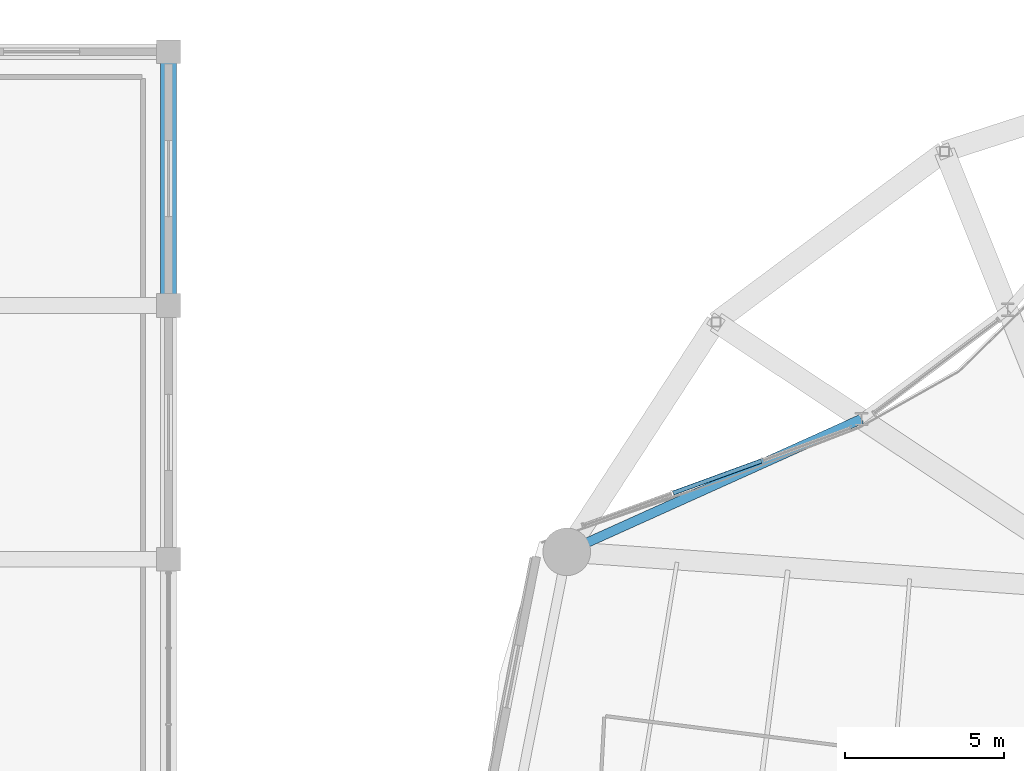
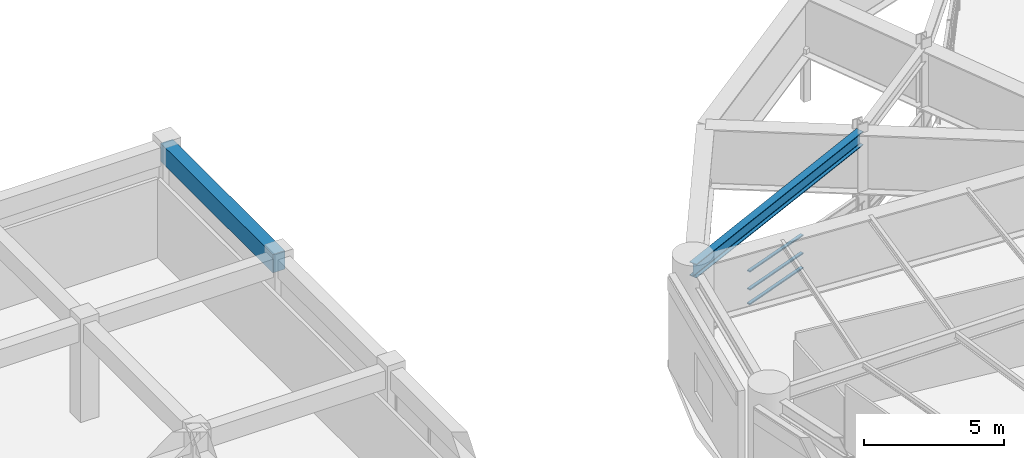
# One storey, part 30 of 53: 3 members, 2 beams, 1 element without a shape of its own.
"""IFC4 building model written with IfcOpenShell, lengths in metres."""

import ifcopenshell
import ifcopenshell.guid

model = None  # the IFC model being written
_history = None  # IfcOwnerHistory: only IFC2X3 demands one
_inside = {}  # id of a spatial element -> (the spatial element, [elements in it])
_under = {}  # id of a project, library or spatial element -> (it, [spatial elements below it])
_declared = {}  # id of a project -> (the project, [libraries it declares])
_typed = {}  # id of a type object -> (the type object, [elements of that type])
_made_of = {}  # id of a material, layer set ... -> (it, [elements and type objects made of it])


def new_model(schema):
    """Start an empty IFC model of exactly this schema.

    Asked for "IFC4X3", IfcOpenShell would pick the latest addendum, in which some entities
    have other attributes; the version numbers below select the first issue.
    IFC2X3 requires an IfcOwnerHistory on every rooted entity: one is made here for all.
    """
    global model, _history
    if schema == "IFC4X3":
        model = ifcopenshell.file(schema_version=(4, 3, 0, 0))
    else:
        model = ifcopenshell.file(schema=schema)
    _inside.clear()
    _under.clear()
    _declared.clear()
    _typed.clear()
    _made_of.clear()
    _history = None
    if model.schema == "IFC2X3":
        org = make("IfcOrganization", Name="unknown")
        user = make(
            "IfcPersonAndOrganization",
            ThePerson=make("IfcPerson", FamilyName="unknown"),
            TheOrganization=org,
        )
        app = make(
            "IfcApplication",
            ApplicationDeveloper=org,
            Version="unknown",
            ApplicationFullName="unknown",
            ApplicationIdentifier="unknown",
        )
        _history = make(
            "IfcOwnerHistory",
            OwningUser=user,
            OwningApplication=app,
            ChangeAction="ADDED",
            CreationDate=0,
        )
    return model


def make(cls, **values):
    """One entity of the class cls with the attributes given. An attribute that is None is left unset."""
    return model.create_entity(
        cls, **{name: value for name, value in values.items() if value is not None}
    )


def rooted(cls, **values):
    """An entity with a GlobalId (a new one), such as an element, a storey or a relation."""
    return make(cls, GlobalId=ifcopenshell.guid.new(), OwnerHistory=_history, **values)


def si_unit(unit_type, name, prefix=None):
    """IfcSIUnit, for example si_unit("LENGTHUNIT", "METRE", prefix="MILLI")."""
    return make("IfcSIUnit", UnitType=unit_type, Prefix=prefix, Name=name)


def assignment(units):
    """IfcUnitAssignment: the units of a project."""
    return None if units is None else make("IfcUnitAssignment", Units=units)


def point(xyz):
    """IfcCartesianPoint."""
    return None if xyz is None else make("IfcCartesianPoint", Coordinates=xyz)


def direction(xyz):
    """IfcDirection."""
    return None if xyz is None else make("IfcDirection", DirectionRatios=xyz)


def frame(location, z_axis=None, x_axis=None):
    """IfcAxis2Placement3D, a coordinate frame: its origin and axes. An axis left out is left unset."""
    return make(
        "IfcAxis2Placement3D",
        Location=point(location),
        Axis=direction(z_axis),
        RefDirection=direction(x_axis),
    )


def frame_2d(location, x_axis=None):
    """IfcAxis2Placement2D, a coordinate frame in the plane: its origin and x axis."""
    return make(
        "IfcAxis2Placement2D", Location=point(location), RefDirection=direction(x_axis)
    )


def origin():
    """The frame at (0, 0, 0) with its axes left unset."""
    return frame((0.0, 0.0, 0.0))


def origin_2d():
    """The frame at (0, 0) in the plane with its x axis left unset."""
    return frame_2d((0.0, 0.0))


def place(relative_to, where):
    """IfcLocalPlacement: puts the frame where relative to a parent placement (None: the world)."""
    return make(
        "IfcLocalPlacement", PlacementRelTo=relative_to, RelativePlacement=where
    )


def context(
    kind, dimensions, precision=None, world=None, true_north=None, identifier=None
):
    """IfcGeometricRepresentationContext, for example the 3D "Model" context."""
    return make(
        "IfcGeometricRepresentationContext",
        ContextIdentifier=identifier,
        ContextType=kind,
        CoordinateSpaceDimension=dimensions,
        Precision=precision,
        WorldCoordinateSystem=world,
        TrueNorth=true_north,
    )


def subcontext(parent, identifier, kind, view, scale=None):
    """IfcGeometricRepresentationSubContext, for example "Body" below "Model"."""
    return make(
        "IfcGeometricRepresentationSubContext",
        ContextIdentifier=identifier,
        ContextType=kind,
        ParentContext=parent,
        TargetScale=scale,
        TargetView=view,
    )


def project(units=None, contexts=None):
    """IfcProject with its units and contexts."""
    return rooted(
        "IfcProject",
        Name="project",
        RepresentationContexts=contexts,
        UnitsInContext=assignment(units),
    )


def spatial(cls, under=None, at=None, **own):
    """A site, building, storey or space (cls), placed at a placement, below another one or the project."""
    s = rooted(cls, ObjectPlacement=at, **own)
    if under is not None:
        _under.setdefault(under.id(), (under, []))[1].append(s)
    return s


def profile(cls, at=None, kind="AREA", **sizes):
    """A parametric profile (cls). Its sizes go by their IFC names, for example OverallWidth=200.0."""
    return make(cls, ProfileType=kind, Position=at, **sizes)


def rectangle(**sizes):
    """IfcRectangleProfileDef."""
    return profile("IfcRectangleProfileDef", **sizes)


def hollow_rectangle(**sizes):
    """IfcRectangleHollowProfileDef."""
    return profile("IfcRectangleHollowProfileDef", **sizes)


def i_section(**sizes):
    """IfcIShapeProfileDef."""
    return profile("IfcIShapeProfileDef", **sizes)


def extrude(swept, where, along, depth):
    """IfcExtrudedAreaSolid: the profile swept, set in the frame where, extruded along a direction by depth."""
    return make(
        "IfcExtrudedAreaSolid",
        SweptArea=swept,
        Position=where,
        ExtrudedDirection=direction(along),
        Depth=depth,
    )


def shape(context_of_items, identifier, shape_type, items):
    """IfcShapeRepresentation: the items that make up one representation, for example the "Body"."""
    return make(
        "IfcShapeRepresentation",
        ContextOfItems=context_of_items,
        RepresentationIdentifier=identifier,
        RepresentationType=shape_type,
        Items=items,
    )


def material(Name=None, Category=None):
    """IfcMaterial."""
    return make("IfcMaterial", Name=Name, Category=Category)


def layer(
    of_material, thickness, ventilated=None, Name=None, Category=None, Priority=None
):
    """IfcMaterialLayer: one layer of a wall or slab, of a material (None: an air gap)."""
    return make(
        "IfcMaterialLayer",
        Material=of_material,
        LayerThickness=thickness,
        IsVentilated=ventilated,
        Name=Name,
        Category=Category,
        Priority=Priority,
    )


def layer_set(layers, Name=None):
    """IfcMaterialLayerSet."""
    return make("IfcMaterialLayerSet", MaterialLayers=layers, LayerSetName=Name)


def material_profile(
    of_material, cross_section, Name=None, Category=None, Priority=None
):
    """IfcMaterialProfile: a cross section and its material."""
    return make(
        "IfcMaterialProfile",
        Name=Name,
        Material=of_material,
        Profile=cross_section,
        Priority=Priority,
        Category=Category,
    )


def profile_set(profiles, Name=None, composite=None):
    """IfcMaterialProfileSet."""
    return make(
        "IfcMaterialProfileSet",
        Name=Name,
        MaterialProfiles=profiles,
        CompositeProfile=composite,
    )


def made_of(thing, what):
    """Note that an element or type object is made of a material, layer set ...; save() writes the relation."""
    if what is not None:
        _made_of.setdefault(what.id(), (what, []))[1].append(thing)
    return thing


def type_object(cls, material=None, **own):
    """A type object (cls), such as IfcWallType, which elements share."""
    return made_of(rooted(cls, **own), material)


def element(
    cls,
    number,
    at=None,
    inside=None,
    cuts=None,
    type_object=None,
    material=None,
    context=None,
    identifier="Body",
    shape_type=None,
    held_by="IfcProductDefinitionShape",
    body=None,
    shapes=None,
    **own,
):
    """One element of the class cls, such as IfcWall. Its Tag is "e" and its number.

    at: its placement. inside: the storey or other place that contains it. cuts: it is an
    opening in that element (IfcRelVoidsElement). A single representation is given by context,
    identifier, shape_type and body (its items); several are given by shapes. held_by: the class
    of the entity that holds the representations. save() writes the other relations.
    """
    e = rooted(cls, Tag="e%d" % number, ObjectPlacement=at, **own)
    if body is not None:
        shapes = [shape(context, identifier, shape_type, body)]
    if shapes is not None:
        e.Representation = make(held_by, Representations=shapes)
    if inside is not None:
        _inside.setdefault(inside.id(), (inside, []))[1].append(e)
    if cuts is not None:
        rooted(
            "IfcRelVoidsElement", RelatingBuildingElement=cuts, RelatedOpeningElement=e
        )
    if type_object is not None:
        _typed.setdefault(type_object.id(), (type_object, []))[1].append(e)
    return made_of(e, material)


def aggregate(whole, parts):
    """IfcRelAggregates: a whole, such as a stair, and the parts it consists of."""
    return rooted("IfcRelAggregates", RelatingObject=whole, RelatedObjects=parts)


def save(model, path):
    """Write the relations noted so far, then the file.

    IfcRelAggregates (storeys below a building ...), IfcRelContainedInSpatialStructure (elements
    in a storey), IfcRelDefinesByType, IfcRelAssociatesMaterial and IfcRelDeclares: one each for
    every whole, place, type object, material and project.
    """
    for whole, parts in _under.values():
        aggregate(whole, parts)
    for where, things in _inside.values():
        rooted(
            "IfcRelContainedInSpatialStructure",
            RelatedElements=things,
            RelatingStructure=where,
        )
    for kind, things in _typed.values():
        rooted("IfcRelDefinesByType", RelatedObjects=things, RelatingType=kind)
    for what, things in _made_of.values():
        rooted("IfcRelAssociatesMaterial", RelatedObjects=things, RelatingMaterial=what)
    for by, libraries in _declared.values():
        rooted("IfcRelDeclares", RelatingContext=by, RelatedDefinitions=libraries)
    model.write(path)


model = new_model("IFC4")

# Units and contexts
model_context = context("Model", 3, precision=1e-05, world=origin(), true_north=direction((0.0, 1.0)))
body_context = subcontext(model_context, "Body", "Model", "MODEL_VIEW")
ifc_project = project(units=[si_unit("LENGTHUNIT", "METRE"), si_unit("AREAUNIT", "SQUARE_METRE"), si_unit("VOLUMEUNIT", "CUBIC_METRE"), si_unit("PLANEANGLEUNIT", "RADIAN"), si_unit("MASSUNIT", "GRAM", prefix="KILO")], contexts=[model_context])

# Site, building, storey
site_placement = place(None, origin())
site = spatial("IfcSite", under=ifc_project, at=site_placement, CompositionType="ELEMENT")
building_placement = place(site_placement, origin())
building = spatial("IfcBuilding", under=site, at=building_placement, Name="Kelanora Arch Commons", CompositionType="ELEMENT")
storey_placement = place(building_placement, frame((0.0, 0.0, 9.0)))
storey = spatial("IfcBuildingStorey", under=building, at=storey_placement, Name="L02", CompositionType="ELEMENT", Elevation=9.0)

# Beams
ifc_material_1 = material(Name="Concrete C40/50", Category="concrete")
ifc_material_profile_1 = material_profile(ifc_material_1, rectangle(XDim=0.5, YDim=0.800048828125, at=origin_2d()), Name="RCB500x800")
ifc_profile_set_1 = profile_set([ifc_material_profile_1], Name="Concrete C40/50")
beam_type_1 = type_object("IfcBeamType", Name="BM-MKT-RC1", PredefinedType="BEAM", material=ifc_profile_set_1)
beam_1_placement = place(storey_placement, frame((36.0, 74.0, 3.840087890625), z_axis=(0.0, 1.0, 0.0), x_axis=(-1.0, 0.0, 0.0)))
element("IfcBeam", 1, at=beam_1_placement, inside=storey, type_object=beam_type_1, Name="Market/Basement Frame Beam 093 L02", PredefinedType="BEAM", context=body_context, shape_type="SweptSolid", body=[
    extrude(rectangle(XDim=0.5, YDim=0.800048828125, at=origin_2d()), origin(), (0.0, 0.0, 1.0), 8.0),
])
ifc_material_2 = material(Name="Steel S355", Category="steel")
ifc_material_profile_2 = material_profile(ifc_material_2, i_section(OverallWidth=0.300048828125, OverallDepth=0.60009765625, WebThickness=0.015380859375, FlangeThickness=0.030029296875, FilletRadius=0.027099609375, at=origin_2d()), Name="HEB600")
ifc_profile_set_2 = profile_set([ifc_material_profile_2], Name="Steel S355")
beam_type_2 = type_object("IfcBeamType", Name="BM-SPN-Z1", PredefinedType="SPANDREL", material=ifc_profile_set_2)
beam_2_placement = place(storey_placement, frame((57.843505859375, 70.426025390625, 3.800048828125), z_axis=(-0.911574258667, -0.411135465431, 0.0), x_axis=(0.411135465431, -0.911574258667, 0.0)))
element("IfcBeam", 2, at=beam_2_placement, inside=storey, type_object=beam_type_2, Name="Courtyard Inner Edge Spandrel BSC-14 L02", PredefinedType="SPANDREL", context=body_context, shape_type="SweptSolid", body=[
    extrude(i_section(OverallWidth=0.300048828125, OverallDepth=0.60009765625, WebThickness=0.015380859375, FlangeThickness=0.030029296875, FilletRadius=0.027099609375, at=origin_2d()), origin(), (0.0, 0.0, 1.0), 10.191650390625),
])

# Curtain wall, members
ifc_material_3 = material(Name="Terracotta ceramic-fritted low-E glass and aluminium", Category="masonry")
ifc_layer = layer(ifc_material_3, 0.2099609375)
ifc_layer_set = layer_set([ifc_layer], Name="Terracotta ceramic-fritted low-E glass and aluminium")
curtain_wall_type = type_object("IfcCurtainWallType", Name="CW-SYS-04", PredefinedType="NOTDEFINED", material=ifc_layer_set)
curtain_wall_placement = place(storey_placement, origin())
curtain_wall = element("IfcCurtainWall", 3, at=curtain_wall_placement, inside=storey, type_object=curtain_wall_type, Name="Unitised Curtain Wall L02-B07", PredefinedType="NOTDEFINED")
ifc_material_4 = material(Name="Powder-coated aluminium terracotta", Category="masonry")
ifc_material_profile_3 = material_profile(ifc_material_4, hollow_rectangle(XDim=0.139892578125, YDim=0.06005859375, WallThickness=0.0048828125, InnerFilletRadius=0.0048828125, OuterFilletRadius=0.010009765625, at=origin_2d()), Name="CWT140x60")
ifc_profile_set_3 = profile_set([ifc_material_profile_3], Name="Powder-coated aluminium terracotta")
member_type = type_object("IfcMemberType", Name="CWT-HVY", PredefinedType="USERDEFINED", material=ifc_profile_set_3)
member_1_placement = place(storey_placement, frame((54.689208984375, 69.10107421875, 0.030029296875), z_axis=(-0.939576468846, -0.342339099711, 0.0), x_axis=(0.342339099711, -0.939576468846, 0.0)))
member_1 = element("IfcMember", 4, at=member_1_placement, type_object=member_type, Name="CW-04 transom 2.1", ObjectType="TRANSOM", PredefinedType="USERDEFINED", context=body_context, shape_type="SweptSolid", body=[
    extrude(hollow_rectangle(XDim=0.139892578125, YDim=0.06005859375, WallThickness=0.0048828125, InnerFilletRadius=0.0048828125, OuterFilletRadius=0.010009765625, at=origin_2d()), origin(), (0.0, 0.0, 1.0), 2.95947265625),
])
member_2_placement = place(storey_placement, frame((54.689208984375, 69.10107421875, 0.666015625), z_axis=(-0.939576468846, -0.342339099711, 0.0), x_axis=(0.342339099711, -0.939576468846, 0.0)))
member_2 = element("IfcMember", 5, at=member_2_placement, type_object=member_type, Name="CW-04 transom 2.2", ObjectType="TRANSOM", PredefinedType="USERDEFINED", context=body_context, shape_type="SweptSolid", body=[
    extrude(hollow_rectangle(XDim=0.139892578125, YDim=0.06005859375, WallThickness=0.0048828125, InnerFilletRadius=0.0048828125, OuterFilletRadius=0.010009765625, at=origin_2d()), origin(), (0.0, 0.0, 1.0), 2.95947265625),
])
member_3_placement = place(storey_placement, frame((54.689208984375, 69.10107421875, 1.449951171875), z_axis=(-0.939576468846, -0.342339099711, 0.0), x_axis=(0.342339099711, -0.939576468846, 0.0)))
member_3 = element("IfcMember", 6, at=member_3_placement, type_object=member_type, Name="CW-04 transom 2.3", ObjectType="TRANSOM", PredefinedType="USERDEFINED", context=body_context, shape_type="SweptSolid", body=[
    extrude(hollow_rectangle(XDim=0.139892578125, YDim=0.06005859375, WallThickness=0.0048828125, InnerFilletRadius=0.0048828125, OuterFilletRadius=0.010009765625, at=origin_2d()), origin(), (0.0, 0.0, 1.0), 2.95947265625),
])
aggregate(curtain_wall, [member_1, member_2, member_3])

save(model, "model.ifc")
